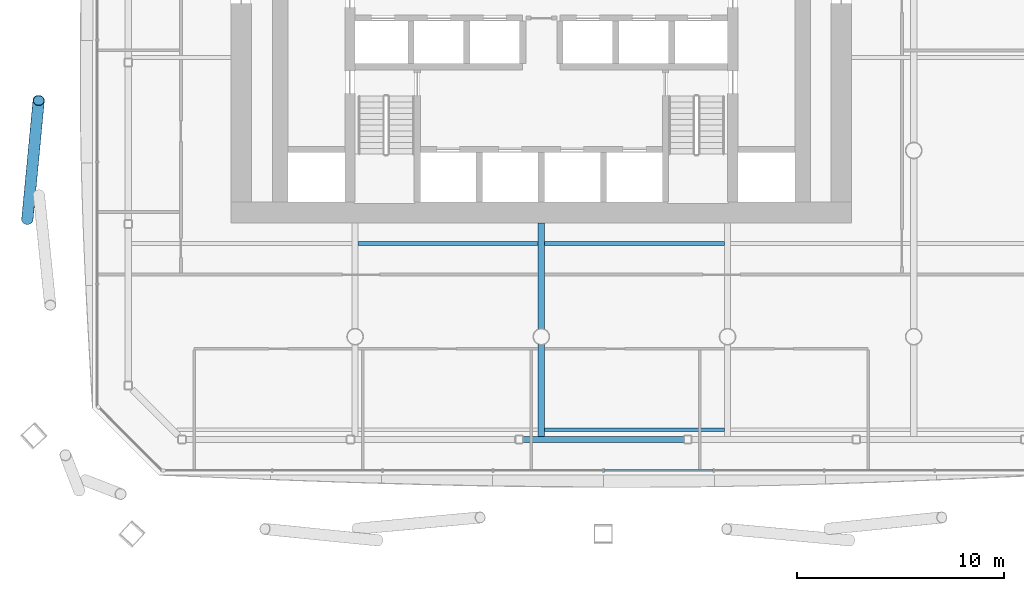
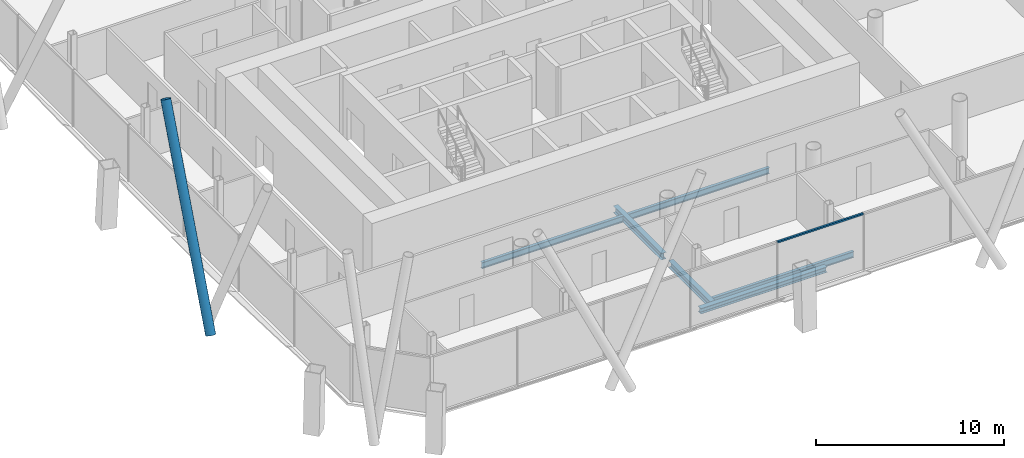
# One storey, part 4 of 22: 6 beams, 2 members, 1 element without a shape of its own.
"""IFC4 building model written with IfcOpenShell, lengths in metres."""

from ifc_helpers import new_model, si_unit, direction, frame, origin, origin_2d, place, context, subcontext, project, spatial, rectangle, hollow_circle, i_section, extrude, material, material_profile, profile_set, type_object, element, aggregate, save


model = new_model("IFC4")

# Units and contexts
model_context = context("Model", 3, precision=1e-05, world=origin(), true_north=direction((0.0, 1.0)))
body_context = subcontext(model_context, "Body", "Model", "MODEL_VIEW")
ifc_project = project(units=[si_unit("LENGTHUNIT", "METRE"), si_unit("AREAUNIT", "SQUARE_METRE"), si_unit("VOLUMEUNIT", "CUBIC_METRE"), si_unit("PLANEANGLEUNIT", "RADIAN"), si_unit("MASSUNIT", "GRAM", prefix="KILO")], contexts=[model_context])

# Site, building, storey
site_placement = place(None, origin())
site = spatial("IfcSite", under=ifc_project, at=site_placement, CompositionType="ELEMENT")
building_placement = place(site_placement, origin())
building = spatial("IfcBuilding", under=site, at=building_placement, Name="Tskaro Facet Tower", CompositionType="ELEMENT")
storey_placement = place(building_placement, frame((0.0, 0.0, 85.5)))
storey = spatial("IfcBuildingStorey", under=building, at=storey_placement, Name="L20", CompositionType="ELEMENT", Elevation=85.5)

# Member
ifc_material_1 = material(Name="Steel S355J2H", Category="steel")
ifc_material_profile_1 = material_profile(ifc_material_1, hollow_circle(Radius=0.279541015625, WallThickness=0.02490234375, at=origin_2d()), Name="CHS 559x25")
ifc_profile_set_1 = profile_set([ifc_material_profile_1], Name="Steel S355J2H")
member_type_1 = type_object("IfcMemberType", Name="CHS 559x25 brace", PredefinedType="BRACE", material=ifc_profile_set_1)
member_1_placement = place(storey_placement, frame((-24.842529296875, -12.326416015625, 0.0), z_axis=(0.042013546474, 0.440346881302, 0.896844181583), x_axis=(-0.995479295976, 0.094978793857, 0.0)))
element("IfcMember", 1, at=member_1_placement, inside=storey, type_object=member_type_1, Name="CHS 559x25 XB11B/2", PredefinedType="BRACE", context=body_context, shape_type="SweptSolid", body=[
    extrude(hollow_circle(Radius=0.279541015625, WallThickness=0.02490234375, at=origin_2d()), origin(), (0.0, 0.0, 1.0), 13.045654296875),
])

# Curtain wall, member
ifc_material_2 = material(Name="Bronze anodised aluminium 6063-T6", Category="aluminium")
curtain_wall_type = type_object("IfcCurtainWallType", Name="Bronze office curtain wall (FW1)", PredefinedType="NOTDEFINED", material=ifc_material_2)
curtain_wall_placement = place(storey_placement, origin())
curtain_wall = element("IfcCurtainWall", 2, at=curtain_wall_placement, inside=storey, type_object=curtain_wall_type, Name="FW1 south facet L20", PredefinedType="NOTDEFINED")
ifc_material_profile_2 = material_profile(ifc_material_2, rectangle(XDim=0.1201171875, YDim=0.10009765625, at=origin_2d()), Name="Transom 120x100")
ifc_profile_set_2 = profile_set([ifc_material_profile_2], Name="Bronze anodised aluminium 6063-T6")
member_type_2 = type_object("IfcMemberType", Name="FW1 bronze transom 120x100", PredefinedType="USERDEFINED", material=ifc_profile_set_2)
member_2_placement = place(storey_placement, frame((3.030029296875, -24.462890625, 3.64990234375), z_axis=(1.0, 0.0, 0.0), x_axis=(0.0, 1.0, 0.0)))
member_2 = element("IfcMember", 3, at=member_2_placement, type_object=member_type_2, Name="FW1 south transom 5.1", ObjectType="TRANSOM", PredefinedType="USERDEFINED", context=body_context, shape_type="SweptSolid", body=[
    extrude(rectangle(XDim=0.1201171875, YDim=0.10009765625, at=origin_2d()), origin(), (0.0, 0.0, 1.0), 5.27685546875),
])
aggregate(curtain_wall, [member_2])

# Beams
ifc_material_3 = material(Name="Steel S355J2", Category="steel")
ifc_material_profile_3 = material_profile(ifc_material_3, i_section(OverallWidth=0.300048828125, OverallDepth=0.360107421875, WebThickness=0.012451171875, FlangeThickness=0.0224609375, FilletRadius=0.027099609375, at=origin_2d()), Name="HE 360 B")
ifc_profile_set_3 = profile_set([ifc_material_profile_3], Name="Steel S355J2")
beam_type_1 = type_object("IfcBeamType", Name="HE 360 B ring beam", PredefinedType="BEAM", material=ifc_profile_set_3)
beam_1_placement = place(storey_placement, frame((-0.89306640625, -22.965087890625, -0.320068359375), z_axis=(1.0, 0.0, 0.0), x_axis=(0.0, 1.0, 0.0)))
element("IfcBeam", 4, at=beam_1_placement, inside=storey, type_object=beam_type_1, Name="HE 360 B EB3-2", PredefinedType="BEAM", context=body_context, shape_type="SweptSolid", body=[
    extrude(i_section(OverallWidth=0.300048828125, OverallDepth=0.360107421875, WebThickness=0.012451171875, FlangeThickness=0.0224609375, FilletRadius=0.027099609375, at=origin_2d()), origin(), (0.0, 0.0, 1.0), 7.7861328125),
])
ifc_material_profile_4 = material_profile(ifc_material_3, i_section(OverallWidth=0.300048828125, OverallDepth=0.43994140625, WebThickness=0.011474609375, FlangeThickness=0.02099609375, FilletRadius=0.027099609375, at=origin_2d()), Name="HE 450 A")
ifc_profile_set_4 = profile_set([ifc_material_profile_4], Name="Steel S355J2")
beam_type_2 = type_object("IfcBeamType", Name="HE 450 A girder", PredefinedType="BEAM", material=ifc_profile_set_4)
beam_2_placement = place(storey_placement, frame((0.0, -22.81494140625, -0.360107421875), z_axis=(0.0, 1.0, 0.0), x_axis=(-1.0, 0.0, 0.0)))
element("IfcBeam", 5, at=beam_2_placement, inside=storey, type_object=beam_type_2, Name="HE 450 A GB4-1-2", PredefinedType="BEAM", context=body_context, shape_type="SweptSolid", body=[
    extrude(i_section(OverallWidth=0.300048828125, OverallDepth=0.43994140625, WebThickness=0.011474609375, FlangeThickness=0.02099609375, FilletRadius=0.027099609375, at=origin_2d()), origin(), (0.0, 0.0, 1.0), 4.4384765625),
])
beam_3_placement = place(storey_placement, frame((0.0, -17.62353515625, -0.360107421875), z_axis=(0.0, 1.0, 0.0), x_axis=(-1.0, 0.0, 0.0)))
element("IfcBeam", 6, at=beam_3_placement, inside=storey, type_object=beam_type_2, Name="HE 450 A GB4-2-2", PredefinedType="BEAM", context=body_context, shape_type="SweptSolid", body=[
    extrude(i_section(OverallWidth=0.300048828125, OverallDepth=0.43994140625, WebThickness=0.011474609375, FlangeThickness=0.02099609375, FilletRadius=0.027099609375, at=origin_2d()), origin(), (0.0, 0.0, 1.0), 5.12353515625),
])
ifc_material_profile_5 = material_profile(ifc_material_3, i_section(OverallWidth=0.179931640625, OverallDepth=0.39990234375, WebThickness=0.008544921875, FlangeThickness=0.013427734375, FilletRadius=0.02099609375, at=origin_2d()), Name="IPE 400")
ifc_profile_set_5 = profile_set([ifc_material_profile_5], Name="Steel S355J2")
beam_type_3 = type_object("IfcBeamType", Name="IPE 400 secondary beam", PredefinedType="BEAM", material=ifc_profile_set_5)
for number, where, z_axis, x_axis, name in (
    (7, (0.14990234375, -22.5, -0.340087890625), (1.0, 0.0, 0.0), (0.0, 1.0, 0.0), "IPE 400 SB1a-3-2"),
    (8, (-8.85009765625, -13.5, -0.340087890625), (1.0, 0.0, 0.0), (0.0, 1.0, 0.0), "IPE 400 SB2a-2-2"),
    (9, (0.14990234375, -13.5, -0.340087890625), (1.0, 0.0, 0.0), (0.0, 1.0, 0.0), "IPE 400 SB2a-3-2"),
):
    element("IfcBeam", number, at=place(storey_placement, frame(where, z_axis=z_axis, x_axis=x_axis)), inside=storey, type_object=beam_type_3, Name=name, PredefinedType="BEAM", context=body_context, shape_type="SweptSolid", body=[
        extrude(i_section(OverallWidth=0.179931640625, OverallDepth=0.39990234375, WebThickness=0.008544921875, FlangeThickness=0.013427734375, FilletRadius=0.02099609375, at=origin_2d()), origin(), (0.0, 0.0, 1.0), 8.7001953125),
    ])

save(model, "model.ifc")
